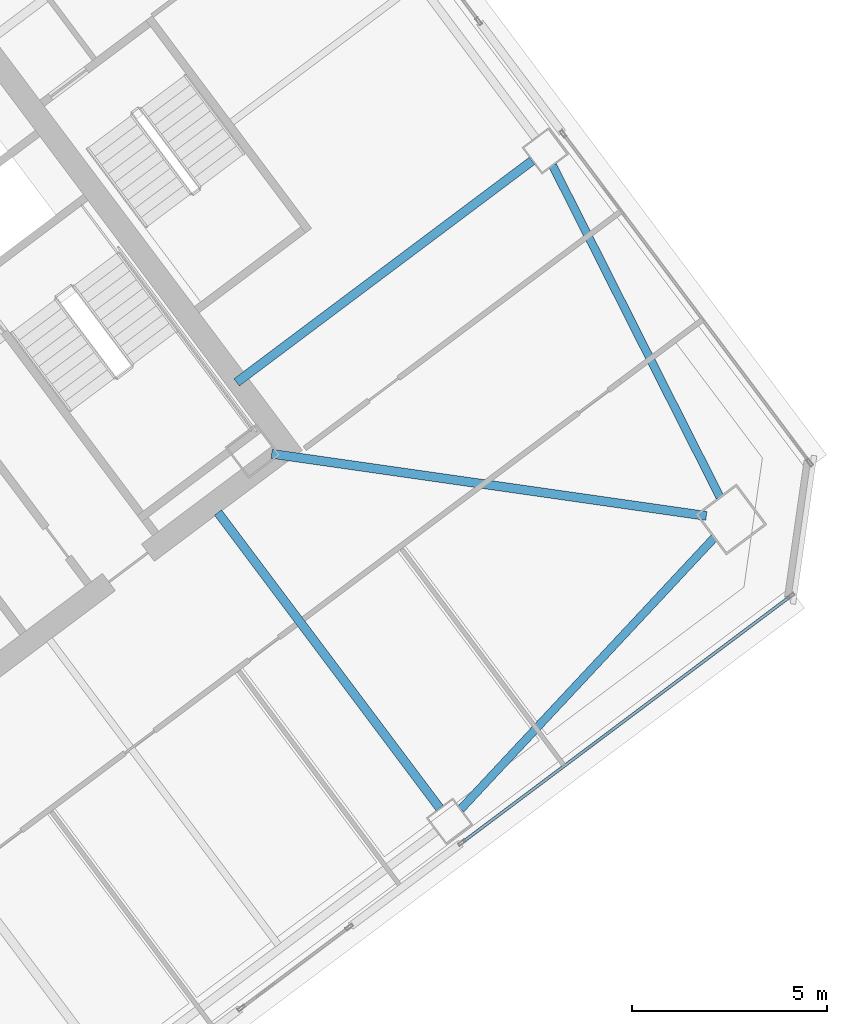
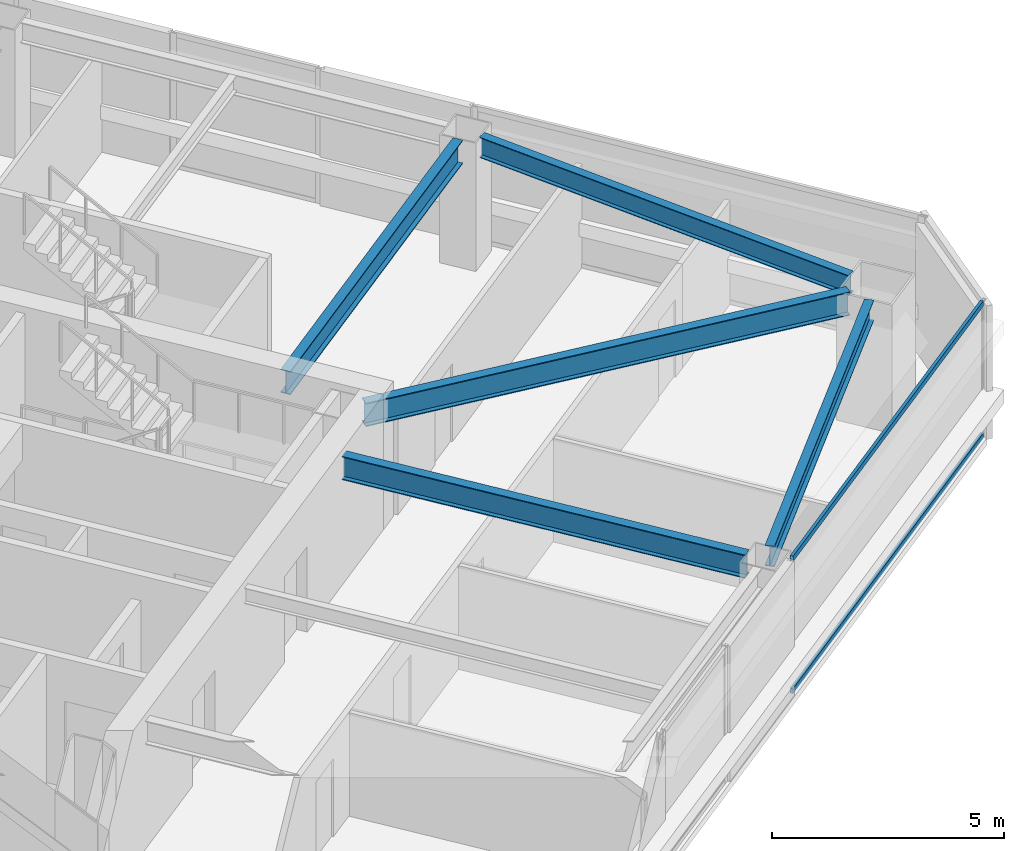
# One storey, part 24 of 42: 5 beams, 2 members, 1 element without a shape of its own.
"""IFC4 building model written with IfcOpenShell, lengths in metres."""

import ifcopenshell
import ifcopenshell.guid

model = None  # the IFC model being written
_history = None  # IfcOwnerHistory: only IFC2X3 demands one
_inside = {}  # id of a spatial element -> (the spatial element, [elements in it])
_under = {}  # id of a project, library or spatial element -> (it, [spatial elements below it])
_declared = {}  # id of a project -> (the project, [libraries it declares])
_typed = {}  # id of a type object -> (the type object, [elements of that type])
_made_of = {}  # id of a material, layer set ... -> (it, [elements and type objects made of it])


def new_model(schema):
    """Start an empty IFC model of exactly this schema.

    Asked for "IFC4X3", IfcOpenShell would pick the latest addendum, in which some entities
    have other attributes; the version numbers below select the first issue.
    IFC2X3 requires an IfcOwnerHistory on every rooted entity: one is made here for all.
    """
    global model, _history
    if schema == "IFC4X3":
        model = ifcopenshell.file(schema_version=(4, 3, 0, 0))
    else:
        model = ifcopenshell.file(schema=schema)
    _inside.clear()
    _under.clear()
    _declared.clear()
    _typed.clear()
    _made_of.clear()
    _history = None
    if model.schema == "IFC2X3":
        org = make("IfcOrganization", Name="unknown")
        user = make(
            "IfcPersonAndOrganization",
            ThePerson=make("IfcPerson", FamilyName="unknown"),
            TheOrganization=org,
        )
        app = make(
            "IfcApplication",
            ApplicationDeveloper=org,
            Version="unknown",
            ApplicationFullName="unknown",
            ApplicationIdentifier="unknown",
        )
        _history = make(
            "IfcOwnerHistory",
            OwningUser=user,
            OwningApplication=app,
            ChangeAction="ADDED",
            CreationDate=0,
        )
    return model


def make(cls, **values):
    """One entity of the class cls with the attributes given. An attribute that is None is left unset."""
    return model.create_entity(
        cls, **{name: value for name, value in values.items() if value is not None}
    )


def rooted(cls, **values):
    """An entity with a GlobalId (a new one), such as an element, a storey or a relation."""
    return make(cls, GlobalId=ifcopenshell.guid.new(), OwnerHistory=_history, **values)


def si_unit(unit_type, name, prefix=None):
    """IfcSIUnit, for example si_unit("LENGTHUNIT", "METRE", prefix="MILLI")."""
    return make("IfcSIUnit", UnitType=unit_type, Prefix=prefix, Name=name)


def assignment(units):
    """IfcUnitAssignment: the units of a project."""
    return None if units is None else make("IfcUnitAssignment", Units=units)


def point(xyz):
    """IfcCartesianPoint."""
    return None if xyz is None else make("IfcCartesianPoint", Coordinates=xyz)


def direction(xyz):
    """IfcDirection."""
    return None if xyz is None else make("IfcDirection", DirectionRatios=xyz)


def frame(location, z_axis=None, x_axis=None):
    """IfcAxis2Placement3D, a coordinate frame: its origin and axes. An axis left out is left unset."""
    return make(
        "IfcAxis2Placement3D",
        Location=point(location),
        Axis=direction(z_axis),
        RefDirection=direction(x_axis),
    )


def frame_2d(location, x_axis=None):
    """IfcAxis2Placement2D, a coordinate frame in the plane: its origin and x axis."""
    return make(
        "IfcAxis2Placement2D", Location=point(location), RefDirection=direction(x_axis)
    )


def origin():
    """The frame at (0, 0, 0) with its axes left unset."""
    return frame((0.0, 0.0, 0.0))


def origin_2d():
    """The frame at (0, 0) in the plane with its x axis left unset."""
    return frame_2d((0.0, 0.0))


def place(relative_to, where):
    """IfcLocalPlacement: puts the frame where relative to a parent placement (None: the world)."""
    return make(
        "IfcLocalPlacement", PlacementRelTo=relative_to, RelativePlacement=where
    )


def context(
    kind, dimensions, precision=None, world=None, true_north=None, identifier=None
):
    """IfcGeometricRepresentationContext, for example the 3D "Model" context."""
    return make(
        "IfcGeometricRepresentationContext",
        ContextIdentifier=identifier,
        ContextType=kind,
        CoordinateSpaceDimension=dimensions,
        Precision=precision,
        WorldCoordinateSystem=world,
        TrueNorth=true_north,
    )


def subcontext(parent, identifier, kind, view, scale=None):
    """IfcGeometricRepresentationSubContext, for example "Body" below "Model"."""
    return make(
        "IfcGeometricRepresentationSubContext",
        ContextIdentifier=identifier,
        ContextType=kind,
        ParentContext=parent,
        TargetScale=scale,
        TargetView=view,
    )


def project(units=None, contexts=None):
    """IfcProject with its units and contexts."""
    return rooted(
        "IfcProject",
        Name="project",
        RepresentationContexts=contexts,
        UnitsInContext=assignment(units),
    )


def spatial(cls, under=None, at=None, **own):
    """A site, building, storey or space (cls), placed at a placement, below another one or the project."""
    s = rooted(cls, ObjectPlacement=at, **own)
    if under is not None:
        _under.setdefault(under.id(), (under, []))[1].append(s)
    return s


def profile(cls, at=None, kind="AREA", **sizes):
    """A parametric profile (cls). Its sizes go by their IFC names, for example OverallWidth=200.0."""
    return make(cls, ProfileType=kind, Position=at, **sizes)


def hollow_rectangle(**sizes):
    """IfcRectangleHollowProfileDef."""
    return profile("IfcRectangleHollowProfileDef", **sizes)


def i_section(**sizes):
    """IfcIShapeProfileDef."""
    return profile("IfcIShapeProfileDef", **sizes)


def extrude(swept, where, along, depth):
    """IfcExtrudedAreaSolid: the profile swept, set in the frame where, extruded along a direction by depth."""
    return make(
        "IfcExtrudedAreaSolid",
        SweptArea=swept,
        Position=where,
        ExtrudedDirection=direction(along),
        Depth=depth,
    )


def shape(context_of_items, identifier, shape_type, items):
    """IfcShapeRepresentation: the items that make up one representation, for example the "Body"."""
    return make(
        "IfcShapeRepresentation",
        ContextOfItems=context_of_items,
        RepresentationIdentifier=identifier,
        RepresentationType=shape_type,
        Items=items,
    )


def material(Name=None, Category=None):
    """IfcMaterial."""
    return make("IfcMaterial", Name=Name, Category=Category)


def material_profile(
    of_material, cross_section, Name=None, Category=None, Priority=None
):
    """IfcMaterialProfile: a cross section and its material."""
    return make(
        "IfcMaterialProfile",
        Name=Name,
        Material=of_material,
        Profile=cross_section,
        Priority=Priority,
        Category=Category,
    )


def profile_set(profiles, Name=None, composite=None):
    """IfcMaterialProfileSet."""
    return make(
        "IfcMaterialProfileSet",
        Name=Name,
        MaterialProfiles=profiles,
        CompositeProfile=composite,
    )


def made_of(thing, what):
    """Note that an element or type object is made of a material, layer set ...; save() writes the relation."""
    if what is not None:
        _made_of.setdefault(what.id(), (what, []))[1].append(thing)
    return thing


def type_object(cls, material=None, **own):
    """A type object (cls), such as IfcWallType, which elements share."""
    return made_of(rooted(cls, **own), material)


def element(
    cls,
    number,
    at=None,
    inside=None,
    cuts=None,
    type_object=None,
    material=None,
    context=None,
    identifier="Body",
    shape_type=None,
    held_by="IfcProductDefinitionShape",
    body=None,
    shapes=None,
    **own,
):
    """One element of the class cls, such as IfcWall. Its Tag is "e" and its number.

    at: its placement. inside: the storey or other place that contains it. cuts: it is an
    opening in that element (IfcRelVoidsElement). A single representation is given by context,
    identifier, shape_type and body (its items); several are given by shapes. held_by: the class
    of the entity that holds the representations. save() writes the other relations.
    """
    e = rooted(cls, Tag="e%d" % number, ObjectPlacement=at, **own)
    if body is not None:
        shapes = [shape(context, identifier, shape_type, body)]
    if shapes is not None:
        e.Representation = make(held_by, Representations=shapes)
    if inside is not None:
        _inside.setdefault(inside.id(), (inside, []))[1].append(e)
    if cuts is not None:
        rooted(
            "IfcRelVoidsElement", RelatingBuildingElement=cuts, RelatedOpeningElement=e
        )
    if type_object is not None:
        _typed.setdefault(type_object.id(), (type_object, []))[1].append(e)
    return made_of(e, material)


def aggregate(whole, parts):
    """IfcRelAggregates: a whole, such as a stair, and the parts it consists of."""
    return rooted("IfcRelAggregates", RelatingObject=whole, RelatedObjects=parts)


def save(model, path):
    """Write the relations noted so far, then the file.

    IfcRelAggregates (storeys below a building ...), IfcRelContainedInSpatialStructure (elements
    in a storey), IfcRelDefinesByType, IfcRelAssociatesMaterial and IfcRelDeclares: one each for
    every whole, place, type object, material and project.
    """
    for whole, parts in _under.values():
        aggregate(whole, parts)
    for where, things in _inside.values():
        rooted(
            "IfcRelContainedInSpatialStructure",
            RelatedElements=things,
            RelatingStructure=where,
        )
    for kind, things in _typed.values():
        rooted("IfcRelDefinesByType", RelatedObjects=things, RelatingType=kind)
    for what, things in _made_of.values():
        rooted("IfcRelAssociatesMaterial", RelatedObjects=things, RelatingMaterial=what)
    for by, libraries in _declared.values():
        rooted("IfcRelDeclares", RelatingContext=by, RelatedDefinitions=libraries)
    model.write(path)


model = new_model("IFC4")

# Units and contexts
model_context = context("Model", 3, precision=1e-05, world=origin(), true_north=direction((0.0, 1.0)))
body_context = subcontext(model_context, "Body", "Model", "MODEL_VIEW")
ifc_project = project(units=[si_unit("LENGTHUNIT", "METRE"), si_unit("AREAUNIT", "SQUARE_METRE"), si_unit("VOLUMEUNIT", "CUBIC_METRE"), si_unit("PLANEANGLEUNIT", "RADIAN"), si_unit("MASSUNIT", "GRAM", prefix="KILO")], contexts=[model_context])

# Site, building, storey
site_placement = place(None, origin())
site = spatial("IfcSite", under=ifc_project, at=site_placement, CompositionType="ELEMENT")
building_placement = place(site_placement, origin())
building = spatial("IfcBuilding", under=site, at=building_placement, Name="Tashvorn Skyway Center", CompositionType="ELEMENT")
storey_placement = place(building_placement, frame((0.0, 0.0, 121.5)))
storey = spatial("IfcBuildingStorey", under=building, at=storey_placement, Name="L32", CompositionType="ELEMENT", Elevation=121.5)

# Beams
ifc_material_1 = material(Name="Steel ASTM A992 Grade 50", Category="steel")
ifc_material_profile_1 = material_profile(ifc_material_1, i_section(OverallWidth=0.22998046875, OverallDepth=0.616943359375, WebThickness=0.01318359375, FlangeThickness=0.022216796875, at=origin_2d()), Name="W24X94")
ifc_profile_set_1 = profile_set([ifc_material_profile_1], Name="Steel ASTM A992 Grade 50")
beam_type_1 = type_object("IfcBeamType", Name="BM-BEAM-W24X94", PredefinedType="BEAM", material=ifc_profile_set_1)
beam_1_placement = place(storey_placement, frame((135.4814453125, 28.93115234375, 3.0615234375), z_axis=(-0.989948189712, 0.141430483583, 0.0), x_axis=(-0.141430483583, -0.989948189712, 0.0)))
element("IfcBeam", 1, at=beam_1_placement, inside=storey, type_object=beam_type_1, Name="Tower 2 L32 Primary Floor Girder MC-SE", PredefinedType="BEAM", context=body_context, shape_type="SweptSolid", body=[
    extrude(i_section(OverallWidth=0.22998046875, OverallDepth=0.616943359375, WebThickness=0.01318359375, FlangeThickness=0.022216796875, at=origin_2d()), origin(), (0.0, 0.0, 1.0), 11.234375),
])
for number, where, z_axis, x_axis, name in (
    (2, (128.657958984375, 21.4560546875, 3.0615234375), (-0.599991732772, 0.800006200354, 0.0), (-0.800006200354, -0.599991732772, 0.0), "Tower 2 L32 Primary Floor Girder FC-S2"),
    (3, (131.02392578125, 38.01806640625, 3.0615234375), (-0.799984498661, -0.600020667896, 0.0), (0.600020667896, -0.799984498661, 0.0), "Tower 2 L32 Primary Floor Girder FC-E1"),
):
    element("IfcBeam", number, at=place(storey_placement, frame(where, z_axis=z_axis, x_axis=x_axis)), inside=storey, type_object=beam_type_1, Name=name, PredefinedType="BEAM", context=body_context, shape_type="SweptSolid", body=[
        extrude(i_section(OverallWidth=0.22998046875, OverallDepth=0.616943359375, WebThickness=0.01318359375, FlangeThickness=0.022216796875, at=origin_2d()), origin(), (0.0, 0.0, 1.0), 9.449951171875),
    ])
ifc_material_profile_2 = material_profile(ifc_material_1, i_section(OverallWidth=0.2109375, OverallDepth=0.5390625, WebThickness=0.01171875, FlangeThickness=0.018798828125, at=origin_2d()), Name="W21X73")
ifc_profile_set_2 = profile_set([ifc_material_profile_2], Name="Steel ASTM A992 Grade 50")
beam_type_2 = type_object("IfcBeamType", Name="BM-SPANDREL-W21X73", PredefinedType="SPANDREL", material=ifc_profile_set_2)
beam_2_placement = place(storey_placement, frame((129.19677734375, 21.427001953125, 3.1005859375), z_axis=(0.682545341102, 0.730843250868, 0.0), x_axis=(-0.730843250868, 0.682545341102, 0.0)))
element("IfcBeam", 4, at=beam_2_placement, inside=storey, type_object=beam_type_2, Name="Tower 2 L32 Spandrel Beam 03", PredefinedType="SPANDREL", context=body_context, shape_type="SweptSolid", body=[
    extrude(i_section(OverallWidth=0.2109375, OverallDepth=0.5390625, WebThickness=0.01171875, FlangeThickness=0.018798828125, at=origin_2d()), origin(), (0.0, 0.0, 1.0), 9.498046875),
])
beam_3_placement = place(storey_placement, frame((135.829345703125, 29.415771484375, 3.1005859375), z_axis=(-0.450613543136, 0.892719124217, 0.0), x_axis=(-0.892719124217, -0.450613543136, 0.0)))
element("IfcBeam", 5, at=beam_3_placement, inside=storey, type_object=beam_type_2, Name="Tower 2 L32 Spandrel Beam 04", PredefinedType="SPANDREL", context=body_context, shape_type="SweptSolid", body=[
    extrude(i_section(OverallWidth=0.2109375, OverallDepth=0.5390625, WebThickness=0.01171875, FlangeThickness=0.018798828125, at=origin_2d()), origin(), (0.0, 0.0, 1.0), 9.498291015625),
])

# Curtain wall, members
ifc_material_2 = material(Name="Thermally broken bronze-anodized aluminium 6063-T6", Category="aluminium")
curtain_wall_type = type_object("IfcCurtainWallType", Name="CW-CW-Z3", PredefinedType="NOTDEFINED", material=ifc_material_2)
curtain_wall_placement = place(storey_placement, origin())
curtain_wall = element("IfcCurtainWall", 6, at=curtain_wall_placement, inside=storey, type_object=curtain_wall_type, Name="Tower 2 L32 South Unitised Curtain Wall Glazing Group 1", PredefinedType="NOTDEFINED")
ifc_material_profile_3 = material_profile(ifc_material_2, hollow_rectangle(XDim=0.074951171875, YDim=0.139892578125, WallThickness=0.004150390625, at=origin_2d()), Name="ALU-TRAN-75x140")
ifc_profile_set_3 = profile_set([ifc_material_profile_3], Name="Thermally broken bronze-anodized aluminium 6063-T6")
member_type = type_object("IfcMemberType", Name="CWT-CW-Z3", PredefinedType="USERDEFINED", material=ifc_profile_set_3)
member_1_placement = place(storey_placement, frame((137.612060546875, 26.85888671875, 0.03759765625), z_axis=(-0.800002807101, -0.599996257181, 0.0), x_axis=(0.599996257181, -0.800002807101, 0.0)))
member_1 = element("IfcMember", 7, at=member_1_placement, type_object=member_type, Name="CW-Z3 transom 1.1", ObjectType="TRANSOM", PredefinedType="USERDEFINED", context=body_context, shape_type="SweptSolid", body=[
    extrude(hollow_rectangle(XDim=0.074951171875, YDim=0.139892578125, WallThickness=0.004150390625, at=origin_2d()), origin(), (0.0, 0.0, 1.0), 10.436767578125),
])
member_2_placement = place(storey_placement, frame((137.612060546875, 26.85888671875, 3.512451171875), z_axis=(-0.800002807101, -0.599996257181, 0.0), x_axis=(0.599996257181, -0.800002807101, 0.0)))
member_2 = element("IfcMember", 8, at=member_2_placement, type_object=member_type, Name="CW-Z3 transom 1.2", ObjectType="TRANSOM", PredefinedType="USERDEFINED", context=body_context, shape_type="SweptSolid", body=[
    extrude(hollow_rectangle(XDim=0.074951171875, YDim=0.139892578125, WallThickness=0.004150390625, at=origin_2d()), origin(), (0.0, 0.0, 1.0), 10.436767578125),
])
aggregate(curtain_wall, [member_1, member_2])

save(model, "model.ifc")
